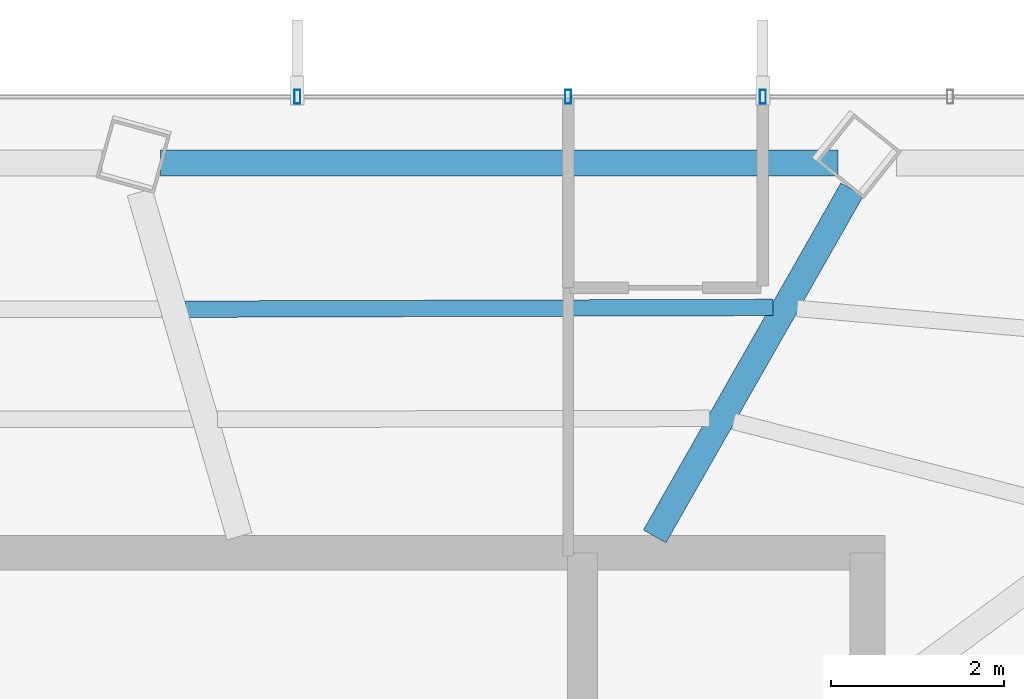
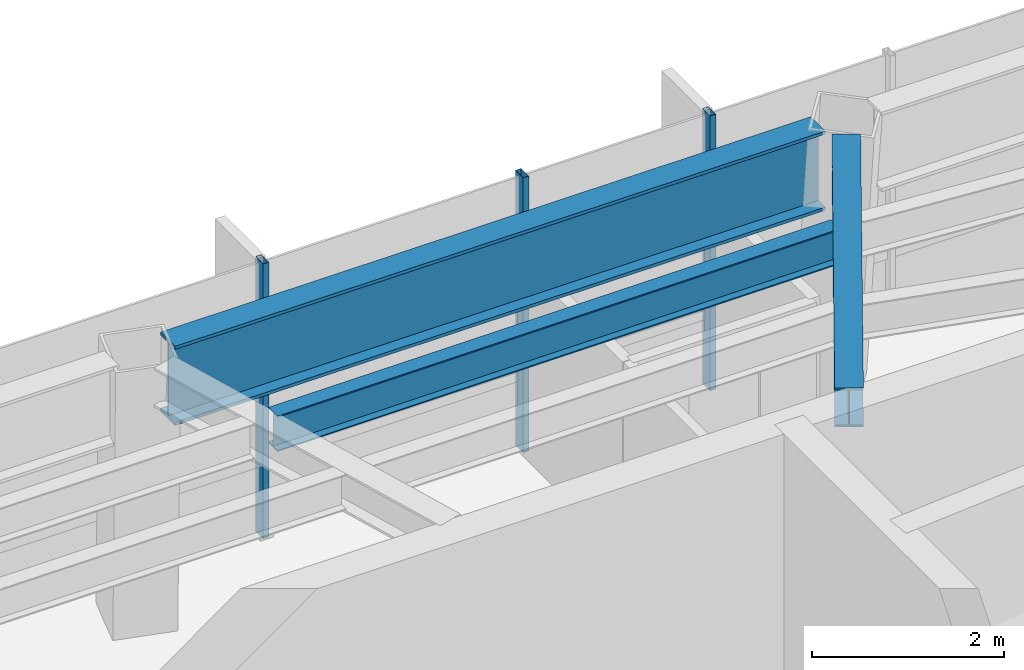
# One storey, part 15 of 27: 3 beams, 3 members, 1 element without a shape of its own.
"""IFC4 building model written with IfcOpenShell, lengths in metres."""

from ifc_helpers import new_model, si_unit, direction, frame, origin, origin_2d, place, context, subcontext, project, spatial, hollow_rectangle, i_section, extrude, material, layer, layer_set, material_profile, profile_set, type_object, element, aggregate, save


model = new_model("IFC4")

# Units and contexts
model_context = context("Model", 3, precision=1e-05, world=origin(), true_north=direction((0.0, 1.0)))
body_context = subcontext(model_context, "Body", "Model", "MODEL_VIEW")
ifc_project = project(units=[si_unit("LENGTHUNIT", "METRE"), si_unit("AREAUNIT", "SQUARE_METRE"), si_unit("VOLUMEUNIT", "CUBIC_METRE"), si_unit("PLANEANGLEUNIT", "RADIAN"), si_unit("MASSUNIT", "GRAM", prefix="KILO")], contexts=[model_context])

# Site, building, storey
site_placement = place(None, origin())
site = spatial("IfcSite", under=ifc_project, at=site_placement, CompositionType="ELEMENT")
building_placement = place(site_placement, origin())
building = spatial("IfcBuilding", under=site, at=building_placement, Name="Zarrinselat Tower", CompositionType="ELEMENT")
storey_placement = place(building_placement, frame((0.0, 0.0, 183.260009765625)))
storey = spatial("IfcBuildingStorey", under=building, at=storey_placement, Name="L45", CompositionType="ELEMENT", Elevation=183.260009765625)

# Beams
ifc_material_1 = material(Name="Steel S355J2", Category="steel")
ifc_material_profile_1 = material_profile(ifc_material_1, i_section(OverallWidth=0.300048828125, OverallDepth=0.5, WebThickness=0.014404296875, FlangeThickness=0.028076171875, at=origin_2d()), Name="HEB 500")
ifc_profile_set_1 = profile_set([ifc_material_profile_1], Name="Steel S355J2")
beam_type_1 = type_object("IfcBeamType", Name="BM-HEB500", PredefinedType="BEAM", material=ifc_profile_set_1)
beam_1_placement = place(storey_placement, frame((45.800048828125, 43.639892578125, 3.25), z_axis=(0.494616604894, 0.869111278355, 0.0), x_axis=(-0.869111278355, 0.494616604894, 0.0)))
element("IfcBeam", 1, at=beam_1_placement, inside=storey, type_object=beam_type_1, Name="L45 Radial Primary Girder RG02", PredefinedType="BEAM", context=body_context, shape_type="SweptSolid", body=[
    extrude(i_section(OverallWidth=0.300048828125, OverallDepth=0.5, WebThickness=0.014404296875, FlangeThickness=0.028076171875, at=origin_2d()), origin(), (0.0, 0.0, 1.0), 4.613525390625),
])
ifc_material_2 = material(Name="Steel S460M", Category="steel")
ifc_material_profile_2 = material_profile(ifc_material_2, i_section(OverallWidth=0.302001953125, OverallDepth=1.008056640625, WebThickness=0.02099609375, FlangeThickness=0.0400390625, at=origin_2d()), Name="HEM 1000")
ifc_profile_set_2 = profile_set([ifc_material_profile_2], Name="Steel S460M")
beam_type_2 = type_object("IfcBeamType", Name="BM-HEM1000", PredefinedType="BEAM", material=ifc_profile_set_2)
beam_2_placement = place(storey_placement, frame((40.09033203125, 47.95556640625, 2.99609375), z_axis=(1.0, 0.0, 0.0), x_axis=(0.0, 1.0, 0.0)))
element("IfcBeam", 2, at=beam_2_placement, inside=storey, type_object=beam_type_2, Name="L45 Perimeter Spandrel Girder SP02", PredefinedType="BEAM", context=body_context, shape_type="SweptSolid", body=[
    extrude(i_section(OverallWidth=0.302001953125, OverallDepth=1.008056640625, WebThickness=0.02099609375, FlangeThickness=0.0400390625, at=origin_2d()), origin(), (0.0, 0.0, 1.0), 7.827880859375),
])
ifc_material_3 = material(Name="Steel S355J2", Category="steel")
ifc_material_profile_3 = material_profile(ifc_material_3, i_section(OverallWidth=0.18994140625, OverallDepth=0.449951171875, WebThickness=0.009521484375, FlangeThickness=0.0146484375, at=origin_2d()), Name="IPE 450")
ifc_profile_set_3 = profile_set([ifc_material_profile_3], Name="Steel S355J2")
beam_type_3 = type_object("IfcBeamType", Name="BM-IPE450", PredefinedType="JOIST", material=ifc_profile_set_3)
beam_3_placement = place(storey_placement, frame((40.381103515625, 46.265380859375, 3.27490234375), z_axis=(0.999995432422, 0.003022438699, 0.0), x_axis=(-0.003022438699, 0.999995432422, 0.0)))
element("IfcBeam", 3, at=beam_3_placement, inside=storey, type_object=beam_type_3, Name="L45 Composite Floor Joist 7-1", PredefinedType="JOIST", context=body_context, shape_type="SweptSolid", body=[
    extrude(i_section(OverallWidth=0.18994140625, OverallDepth=0.449951171875, WebThickness=0.009521484375, FlangeThickness=0.0146484375, at=origin_2d()), origin(), (0.0, 0.0, 1.0), 6.78515625),
])

# Curtain wall, members
ifc_material_4 = material(Name="Extruded Aluminium Alloy EN AW-6063 T6", Category="aluminium")
ifc_layer = layer(ifc_material_4, 0.175048828125)
ifc_layer_set = layer_set([ifc_layer], Name="Extruded Aluminium Alloy EN AW-6063 T6")
curtain_wall_type = type_object("IfcCurtainWallType", Name="CWS-HTL", PredefinedType="NOTDEFINED", material=ifc_layer_set)
curtain_wall_placement = place(storey_placement, origin())
curtain_wall = element("IfcCurtainWall", 4, at=curtain_wall_placement, inside=storey, type_object=curtain_wall_type, Name="L45 Unitised Curtain Wall CW-L45-E01", PredefinedType="NOTDEFINED")
ifc_material_5 = material(Name="Extruded Aluminium Alloy EN AW-6063 T6", Category="aluminium")
ifc_material_profile_4 = material_profile(ifc_material_5, hollow_rectangle(XDim=0.070068359375, YDim=0.159912109375, WallThickness=0.00390625, at=origin_2d()), Name="RHS 160x70x4")
ifc_profile_set_4 = profile_set([ifc_material_profile_4], Name="Extruded Aluminium Alloy EN AW-6063 T6")
member_type = type_object("IfcMemberType", Name="MEM-CW-MUL2", PredefinedType="MULLION", material=ifc_profile_set_4)
member_1_placement = place(storey_placement, frame((47.050048828125, 48.72216796875, 0.0), z_axis=(0.0, 0.0, 1.0), x_axis=(-1.0, 0.0, 0.0)))
member_1 = element("IfcMember", 5, at=member_1_placement, type_object=member_type, Name="CW-L45-E01 Mullion 3", PredefinedType="MULLION", context=body_context, shape_type="SweptSolid", body=[
    extrude(hollow_rectangle(XDim=0.070068359375, YDim=0.159912109375, WallThickness=0.00390625, at=origin_2d()), origin(), (0.0, 0.0, 1.0), 3.5),
])
member_2_placement = place(storey_placement, frame((44.800048828125, 48.72216796875, 0.0), z_axis=(0.0, 0.0, 1.0), x_axis=(-1.0, 0.0, 0.0)))
member_2 = element("IfcMember", 6, at=member_2_placement, type_object=member_type, Name="CW-L45-E01 Mullion 4", PredefinedType="MULLION", context=body_context, shape_type="SweptSolid", body=[
    extrude(hollow_rectangle(XDim=0.070068359375, YDim=0.159912109375, WallThickness=0.00390625, at=origin_2d()), origin(), (0.0, 0.0, 1.0), 3.5),
])
member_3_placement = place(storey_placement, frame((41.67041015625, 48.72216796875, 0.0), z_axis=(0.0, 0.0, 1.0), x_axis=(-1.0, 0.0, 0.0)))
member_3 = element("IfcMember", 7, at=member_3_placement, type_object=member_type, Name="CW-L45-E01 Mullion 5", PredefinedType="MULLION", context=body_context, shape_type="SweptSolid", body=[
    extrude(hollow_rectangle(XDim=0.070068359375, YDim=0.159912109375, WallThickness=0.00390625, at=origin_2d()), origin(), (0.0, 0.0, 1.0), 3.5),
])
aggregate(curtain_wall, [member_1, member_2, member_3])

save(model, "model.ifc")
